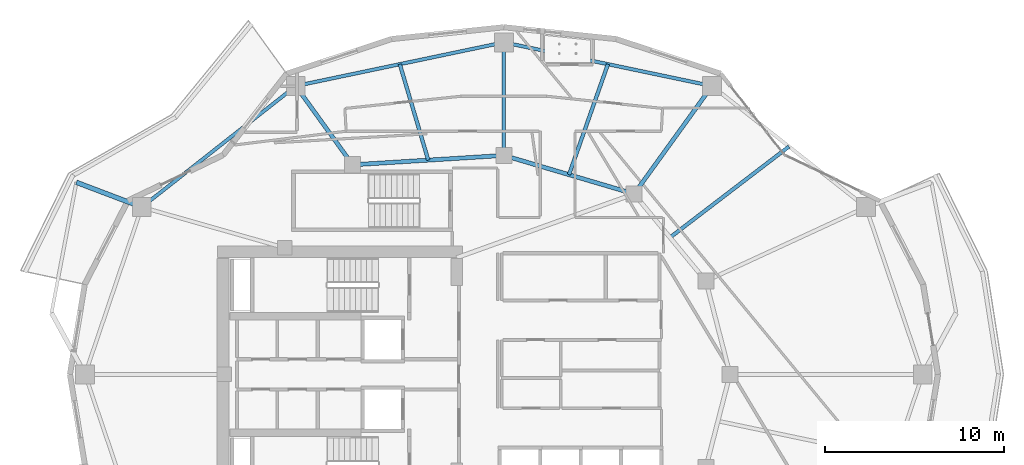
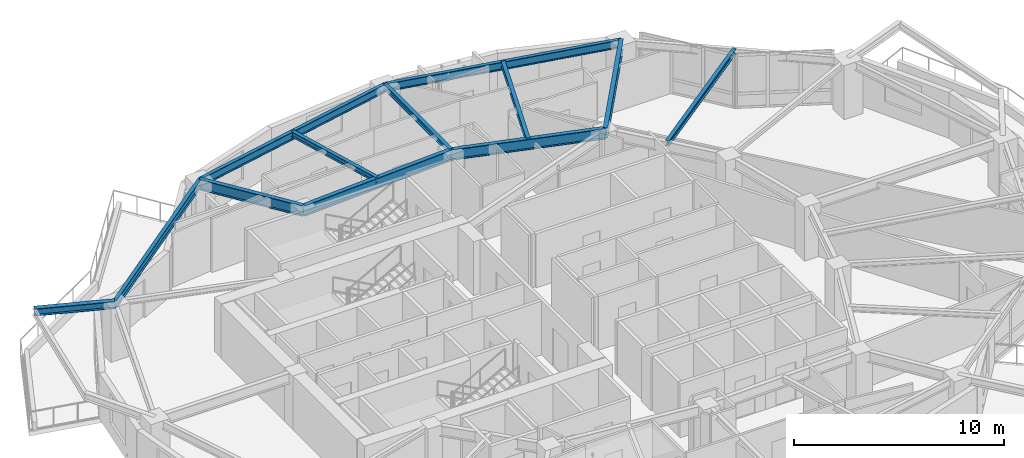
# One storey, part 3 of 18: 12 beams.
"""IFC4 building model written with IfcOpenShell, lengths in metres."""

from ifc_helpers import new_model, si_unit, direction, frame, origin, origin_2d, place, context, subcontext, project, spatial, i_section, extrude, material, material_profile, profile_set, type_object, element, save


model = new_model("IFC4")

# Units and contexts
model_context = context("Model", 3, precision=1e-05, world=origin(), true_north=direction((0.0, 1.0)))
body_context = subcontext(model_context, "Body", "Model", "MODEL_VIEW")
ifc_project = project(units=[si_unit("LENGTHUNIT", "METRE"), si_unit("AREAUNIT", "SQUARE_METRE"), si_unit("VOLUMEUNIT", "CUBIC_METRE"), si_unit("PLANEANGLEUNIT", "RADIAN"), si_unit("MASSUNIT", "GRAM", prefix="KILO")], contexts=[model_context])

# Site, building, storey
site_placement = place(None, origin())
site = spatial("IfcSite", under=ifc_project, at=site_placement, CompositionType="ELEMENT")
building_placement = place(site_placement, origin())
building = spatial("IfcBuilding", under=site, at=building_placement, Name="Kolvaren Gate Tower and Convention Centre", CompositionType="ELEMENT")
storey_placement = place(building_placement, frame((0.0, 0.0, 135.89990234375)))
storey = spatial("IfcBuildingStorey", under=building, at=storey_placement, Name="L34", CompositionType="ELEMENT", Elevation=135.89990234375)

# Beams
ifc_material = material(Name="Structural steel ASTM A992 Grade 345 MPa", Category="steel")
ifc_material_profile_1 = material_profile(ifc_material, i_section(OverallWidth=0.260009765625, OverallDepth=0.419921875, WebThickness=0.013427734375, FlangeThickness=0.0224609375, at=origin_2d()), Name="W410X132")
ifc_profile_set_1 = profile_set([ifc_material_profile_1], Name="Structural steel ASTM A992 Grade 345 MPa")
beam_type_1 = type_object("IfcBeamType", Name="STR-BM-W410X132", PredefinedType="BEAM", material=ifc_profile_set_1)
beam_1_placement = place(storey_placement, frame((9.94970703125, 36.318603515625, 2.920654296875), z_axis=(-0.935054778076, 0.354503260912, 0.0), x_axis=(-0.354503260912, -0.935054778076, 0.0)))
element("IfcBeam", 1, at=beam_1_placement, inside=storey, type_object=beam_type_1, Name="Tower L35 Planted Balcony Outrigger Cantilever BC-2A", PredefinedType="BEAM", context=body_context, shape_type="SweptSolid", body=[
    extrude(i_section(OverallWidth=0.260009765625, OverallDepth=0.419921875, WebThickness=0.013427734375, FlangeThickness=0.0224609375, at=origin_2d()), origin(), (0.0, 0.0, 1.0), 3.89990234375),
])
ifc_material_profile_2 = material_profile(ifc_material, i_section(OverallWidth=0.22998046875, OverallDepth=0.616943359375, WebThickness=0.01318359375, FlangeThickness=0.022216796875, at=origin_2d()), Name="W610X140")
ifc_profile_set_2 = profile_set([ifc_material_profile_2], Name="Structural steel ASTM A992 Grade 345 MPa")
beam_type_2 = type_object("IfcBeamType", Name="STR-BM-W610X140", PredefinedType="BEAM", material=ifc_profile_set_2)
beam_2_placement = place(storey_placement, frame((37.381591796875, 37.054931640625, 2.821533203125), z_axis=(-0.958980837827, 0.283470902706, 0.0), x_axis=(-0.283470902706, -0.958980837827, 0.0)))
element("IfcBeam", 2, at=beam_2_placement, inside=storey, type_object=beam_type_2, Name="Tower L34 Primary Ring Girder G-03", PredefinedType="BEAM", context=body_context, shape_type="SweptSolid", body=[
    extrude(i_section(OverallWidth=0.22998046875, OverallDepth=0.616943359375, WebThickness=0.01318359375, FlangeThickness=0.022216796875, at=origin_2d()), origin(), (0.0, 0.0, 1.0), 7.56689453125),
])
beam_3_placement = place(storey_placement, frame((30.125, 39.199951171875, 2.821533203125), z_axis=(-0.998078258568, -0.06196603726, 0.0), x_axis=(0.06196603726, -0.998078258568, 0.0)))
element("IfcBeam", 3, at=beam_3_placement, inside=storey, type_object=beam_type_2, Name="Tower L34 Primary Ring Girder G-04", PredefinedType="BEAM", context=body_context, shape_type="SweptSolid", body=[
    extrude(i_section(OverallWidth=0.22998046875, OverallDepth=0.616943359375, WebThickness=0.01318359375, FlangeThickness=0.022216796875, at=origin_2d()), origin(), (0.0, 0.0, 1.0), 8.443115234375),
])
beam_4_placement = place(storey_placement, frame((37.381591796875, 37.054931640625, 2.821533203125), z_axis=(0.585208050015, 0.810883184064, 0.0), x_axis=(-0.810883184064, 0.585208050015, 0.0)))
element("IfcBeam", 4, at=beam_4_placement, inside=storey, type_object=beam_type_2, Name="Tower L34 Radial Floor Girder RB-03", PredefinedType="BEAM", context=body_context, shape_type="SweptSolid", body=[
    extrude(i_section(OverallWidth=0.22998046875, OverallDepth=0.616943359375, WebThickness=0.01318359375, FlangeThickness=0.022216796875, at=origin_2d()), origin(), (0.0, 0.0, 1.0), 7.416015625),
])
beam_5_placement = place(storey_placement, frame((21.697998046875, 38.6767578125, 2.821533203125), z_axis=(-0.585184369967, 0.810900273243, 0.0), x_axis=(-0.810900273243, -0.585184369967, 0.0)))
element("IfcBeam", 5, at=beam_5_placement, inside=storey, type_object=beam_type_2, Name="Tower L34 Radial Floor Girder RB-05", PredefinedType="BEAM", context=body_context, shape_type="SweptSolid", body=[
    extrude(i_section(OverallWidth=0.22998046875, OverallDepth=0.616943359375, WebThickness=0.01318359375, FlangeThickness=0.022216796875, at=origin_2d()), origin(), (0.0, 0.0, 1.0), 5.415771484375),
])
ifc_material_profile_3 = material_profile(ifc_material, i_section(OverallWidth=0.205078125, OverallDepth=0.31005859375, WebThickness=0.009521484375, FlangeThickness=0.016357421875, at=origin_2d()), Name="W310X74")
ifc_profile_set_3 = profile_set([ifc_material_profile_3], Name="Structural steel ASTM A992 Grade 345 MPa")
beam_type_3 = type_object("IfcBeamType", Name="STR-JS-W310X74", PredefinedType="JOIST", material=ifc_profile_set_3)
beam_6_placement = place(storey_placement, frame((30.125, 39.199951171875, 2.97509765625), z_axis=(0.0, 1.0, 0.0), x_axis=(-1.0, 0.0, 0.0)))
element("IfcBeam", 6, at=beam_6_placement, inside=storey, type_object=beam_type_3, Name="Tower L34 Radial Floor Girder RB-04", PredefinedType="JOIST", context=body_context, shape_type="SweptSolid", body=[
    extrude(i_section(OverallWidth=0.205078125, OverallDepth=0.31005859375, WebThickness=0.009521484375, FlangeThickness=0.016357421875, at=origin_2d()), origin(), (0.0, 0.0, 1.0), 6.300048828125),
])
beam_7_placement = place(storey_placement, frame((39.3818359375, 34.627197265625, 2.97509765625), z_axis=(0.79454218325, 0.607208958297, 0.0), x_axis=(-0.607208958297, 0.79454218325, 0.0)))
element("IfcBeam", 7, at=beam_7_placement, inside=storey, type_object=beam_type_3, Name="Tower L34 Secondary Composite Floor Joist J-02.1", PredefinedType="JOIST", context=body_context, shape_type="SweptSolid", body=[
    extrude(i_section(OverallWidth=0.205078125, OverallDepth=0.31005859375, WebThickness=0.009521484375, FlangeThickness=0.016357421875, at=origin_2d()), origin(), (0.0, 0.0, 1.0), 8.34326171875),
])
beam_8_placement = place(storey_placement, frame((33.75341796875, 38.12744140625, 2.97509765625), z_axis=(0.332372088023, 0.943148342046, 0.0), x_axis=(-0.943148342046, 0.332372088023, 0.0)))
element("IfcBeam", 8, at=beam_8_placement, inside=storey, type_object=beam_type_3, Name="Tower L34 Secondary Composite Floor Joist J-03.1", PredefinedType="JOIST", context=body_context, shape_type="SweptSolid", body=[
    extrude(i_section(OverallWidth=0.205078125, OverallDepth=0.31005859375, WebThickness=0.009521484375, FlangeThickness=0.016357421875, at=origin_2d()), origin(), (0.0, 0.0, 1.0), 6.52783203125),
])
beam_9_placement = place(storey_placement, frame((25.91162109375, 38.938232421875, 2.97509765625), z_axis=(-0.284209081553, 0.958762326107, 0.0), x_axis=(-0.958762326107, -0.284209081553, 0.0)))
element("IfcBeam", 9, at=beam_9_placement, inside=storey, type_object=beam_type_3, Name="Tower L34 Secondary Composite Floor Joist J-04.1", PredefinedType="JOIST", context=body_context, shape_type="SweptSolid", body=[
    extrude(i_section(OverallWidth=0.205078125, OverallDepth=0.31005859375, WebThickness=0.009521484375, FlangeThickness=0.016357421875, at=origin_2d()), origin(), (0.0, 0.0, 1.0), 5.575927734375),
])
ifc_material_profile_4 = material_profile(ifc_material, i_section(OverallWidth=0.194091796875, OverallDepth=0.468994140625, WebThickness=0.0126953125, FlangeThickness=0.0205078125, at=origin_2d()), Name="W460X106")
ifc_profile_set_4 = profile_set([ifc_material_profile_4], Name="Structural steel ASTM A992 Grade 345 MPa")
beam_type_4 = type_object("IfcBeamType", Name="STR-SP-W460X106", PredefinedType="SPANDREL", material=ifc_profile_set_4)
beam_10_placement = place(storey_placement, frame((41.721435546875, 43.068359375, 2.8955078125), z_axis=(-0.978714746947, 0.205225349578, 0.0), x_axis=(-0.205225349578, -0.978714746947, 0.0)))
element("IfcBeam", 10, at=beam_10_placement, inside=storey, type_object=beam_type_4, Name="Tower L34 Perimeter Spandrel Beam SP-03", PredefinedType="SPANDREL", context=body_context, shape_type="SweptSolid", body=[
    extrude(i_section(OverallWidth=0.194091796875, OverallDepth=0.468994140625, WebThickness=0.0126953125, FlangeThickness=0.0205078125, at=origin_2d()), origin(), (0.0, 0.0, 1.0), 11.8486328125),
])
beam_11_placement = place(storey_placement, frame((30.125, 45.5, 2.8955078125), z_axis=(-0.978713879092, -0.20522948831, 0.0), x_axis=(0.20522948831, -0.978713879092, 0.0)))
element("IfcBeam", 11, at=beam_11_placement, inside=storey, type_object=beam_type_4, Name="Tower L34 Perimeter Spandrel Beam SP-04", PredefinedType="SPANDREL", context=body_context, shape_type="SweptSolid", body=[
    extrude(i_section(OverallWidth=0.194091796875, OverallDepth=0.468994140625, WebThickness=0.0126953125, FlangeThickness=0.0205078125, at=origin_2d()), origin(), (0.0, 0.0, 1.0), 11.848388671875),
])
beam_12_placement = place(storey_placement, frame((18.52880859375, 43.068359375, 2.8955078125), z_axis=(-0.785916161629, -0.61833307116, 0.0), x_axis=(0.61833307116, -0.785916161629, 0.0)))
element("IfcBeam", 12, at=beam_12_placement, inside=storey, type_object=beam_type_4, Name="Tower L34 Perimeter Spandrel Beam SP-05", PredefinedType="SPANDREL", context=body_context, shape_type="SweptSolid", body=[
    extrude(i_section(OverallWidth=0.194091796875, OverallDepth=0.468994140625, WebThickness=0.0126953125, FlangeThickness=0.0205078125, at=origin_2d()), origin(), (0.0, 0.0, 1.0), 10.916015625),
])

save(model, "model.ifc")
